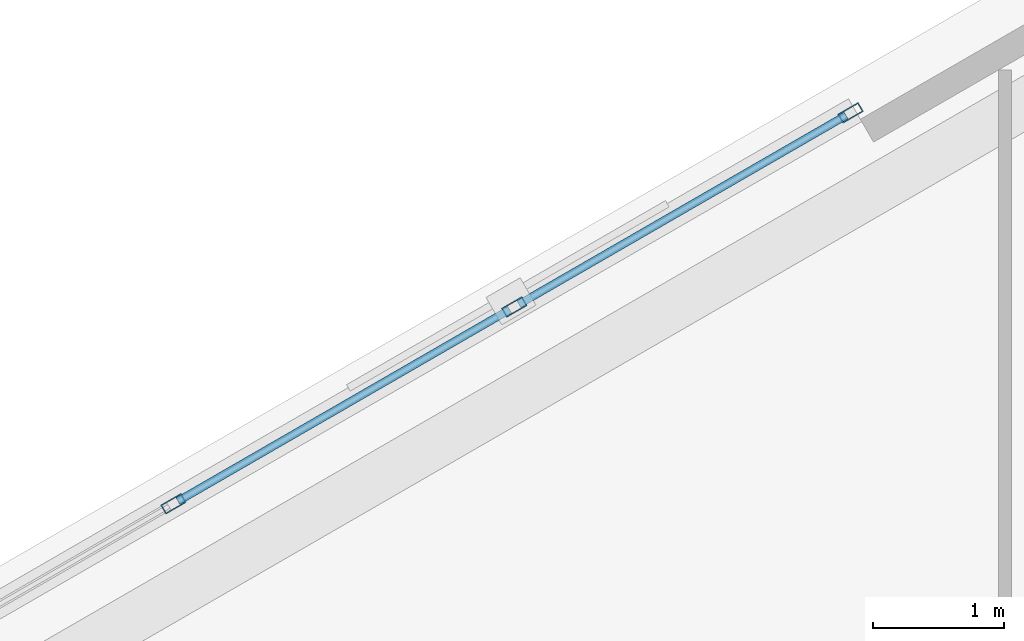
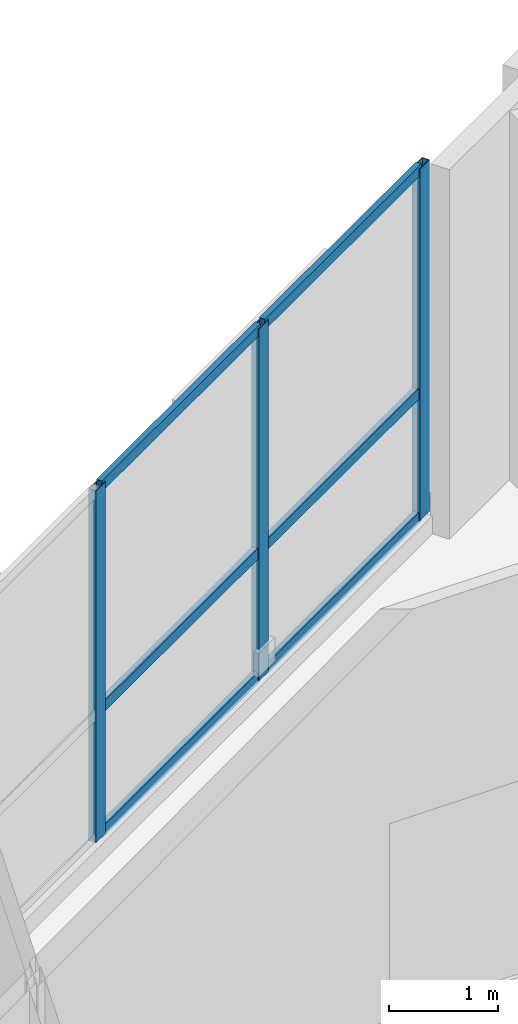
# One storey, part 13 of 27: 9 members, 1 element without a shape of its own.
"""IFC4 building model written with IfcOpenShell, lengths in metres."""

from ifc_helpers import new_model, si_unit, direction, frame, origin, origin_2d, place, context, subcontext, project, spatial, hollow_rectangle, extrude, material, layer, layer_set, material_profile, profile_set, type_object, element, aggregate, save


model = new_model("IFC4")

# Units and contexts
model_context = context("Model", 3, precision=1e-05, world=origin(), true_north=direction((0.0, 1.0)))
body_context = subcontext(model_context, "Body", "Model", "MODEL_VIEW")
ifc_project = project(units=[si_unit("LENGTHUNIT", "METRE"), si_unit("AREAUNIT", "SQUARE_METRE"), si_unit("VOLUMEUNIT", "CUBIC_METRE"), si_unit("PLANEANGLEUNIT", "RADIAN"), si_unit("MASSUNIT", "GRAM", prefix="KILO")], contexts=[model_context])

# Site, building, storey
site_placement = place(None, origin())
site = spatial("IfcSite", under=ifc_project, at=site_placement, CompositionType="ELEMENT")
building_placement = place(site_placement, origin())
building = spatial("IfcBuilding", under=site, at=building_placement, Name="Mersakhor Tower and Convention Hall", CompositionType="ELEMENT")
storey_placement = place(building_placement, frame((0.0, 0.0, 14.39990234375)))
storey = spatial("IfcBuildingStorey", under=building, at=storey_placement, Name="L03", CompositionType="ELEMENT", Elevation=14.39990234375)

# Curtain wall, members
ifc_material_1 = material(Name="Dark solar low-E aluminium curtain wall", Category="aluminium")
ifc_layer = layer(ifc_material_1, 0.18994140625)
ifc_layer_set = layer_set([ifc_layer], Name="Dark solar low-E aluminium curtain wall")
curtain_wall_type = type_object("IfcCurtainWallType", Name="CW-SYS-04", PredefinedType="USERDEFINED", material=ifc_layer_set)
curtain_wall_placement = place(storey_placement, origin())
curtain_wall = element("IfcCurtainWall", 1, at=curtain_wall_placement, inside=storey, type_object=curtain_wall_type, Name="L03 Dark-Glass Curtain Wall F1-B2", ObjectType="CURTAIN WALL", PredefinedType="USERDEFINED")
ifc_material_2 = material(Name="Anodised aluminium EN AW-6063 T6", Category="aluminium")
ifc_material_profile_1 = material_profile(ifc_material_2, hollow_rectangle(XDim=0.080078125, YDim=0.179931640625, WallThickness=0.008056640625, at=origin_2d()), Name="RHS 180x80x8")
ifc_profile_set_1 = profile_set([ifc_material_profile_1], Name="Anodised aluminium EN AW-6063 T6")
member_type_1 = type_object("IfcMemberType", Name="CWM-180x80", PredefinedType="MULLION", material=ifc_profile_set_1)
member_1_placement = place(storey_placement, frame((21.574951171875, 39.610595703125, 0.2001953125), z_axis=(0.0, 0.0, 1.0), x_axis=(-0.50000344889, 0.866023412558, 0.0)))
member_1 = element("IfcMember", 2, at=member_1_placement, type_object=member_type_1, Name="CW-04 mullion 3", PredefinedType="MULLION", context=body_context, shape_type="SweptSolid", body=[
    extrude(hollow_rectangle(XDim=0.080078125, YDim=0.179931640625, WallThickness=0.008056640625, at=origin_2d()), origin(), (0.0, 0.0, 1.0), 3.93994140625),
])
member_2_placement = place(storey_placement, frame((24.167236328125, 41.107177734375, 0.2001953125), z_axis=(0.0, 0.0, 1.0), x_axis=(-0.50000344889, 0.866023412558, 0.0)))
member_2 = element("IfcMember", 3, at=member_2_placement, type_object=member_type_1, Name="CW-04 mullion 4", PredefinedType="MULLION", context=body_context, shape_type="SweptSolid", body=[
    extrude(hollow_rectangle(XDim=0.080078125, YDim=0.179931640625, WallThickness=0.008056640625, at=origin_2d()), origin(), (0.0, 0.0, 1.0), 3.93994140625),
])
member_3_placement = place(storey_placement, frame((26.724853515625, 42.583740234375, 0.2001953125), z_axis=(0.0, 0.0, 1.0), x_axis=(-0.50000344889, 0.866023412558, 0.0)))
member_3 = element("IfcMember", 4, at=member_3_placement, type_object=member_type_1, Name="CW-04 mullion 5", PredefinedType="MULLION", context=body_context, shape_type="SweptSolid", body=[
    extrude(hollow_rectangle(XDim=0.080078125, YDim=0.179931640625, WallThickness=0.008056640625, at=origin_2d()), origin(), (0.0, 0.0, 1.0), 3.93994140625),
])
ifc_material_3 = material(Name="Anodised aluminium EN AW-6063 T6", Category="aluminium")
ifc_material_profile_2 = material_profile(ifc_material_3, hollow_rectangle(XDim=0.06005859375, YDim=0.1201171875, WallThickness=0.0048828125, at=origin_2d()), Name="RHS 120x60x5")
ifc_profile_set_2 = profile_set([ifc_material_profile_2], Name="Anodised aluminium EN AW-6063 T6")
member_type_2 = type_object("IfcMemberType", Name="CWT-120x60", PredefinedType="USERDEFINED", material=ifc_profile_set_2)
member_4_placement = place(storey_placement, frame((21.609619140625, 39.630615234375, 0.22998046875), z_axis=(0.866037657489, 0.499978775361, 0.0), x_axis=(-0.499978775361, 0.866037657489, 0.0)))
member_4 = element("IfcMember", 5, at=member_4_placement, type_object=member_type_2, Name="CW-04 transom 3.1", ObjectType="TRANSOM", PredefinedType="USERDEFINED", context=body_context, shape_type="SweptSolid", body=[
    extrude(hollow_rectangle(XDim=0.06005859375, YDim=0.1201171875, WallThickness=0.0048828125, at=origin_2d()), origin(), (0.0, 0.0, 1.0), 2.913330078125),
])
member_5_placement = place(storey_placement, frame((21.609619140625, 39.630615234375, 1.6201171875), z_axis=(0.866037657489, 0.499978775361, 0.0), x_axis=(-0.499978775361, 0.866037657489, 0.0)))
member_5 = element("IfcMember", 6, at=member_5_placement, type_object=member_type_2, Name="CW-04 transom 3.2", ObjectType="TRANSOM", PredefinedType="USERDEFINED", context=body_context, shape_type="SweptSolid", body=[
    extrude(hollow_rectangle(XDim=0.06005859375, YDim=0.1201171875, WallThickness=0.0048828125, at=origin_2d()), origin(), (0.0, 0.0, 1.0), 2.913330078125),
])
member_6_placement = place(storey_placement, frame((21.609619140625, 39.630615234375, 4.110107421875), z_axis=(0.866037657489, 0.499978775361, 0.0), x_axis=(-0.499978775361, 0.866037657489, 0.0)))
member_6 = element("IfcMember", 7, at=member_6_placement, type_object=member_type_2, Name="CW-04 transom 3.3", ObjectType="TRANSOM", PredefinedType="USERDEFINED", context=body_context, shape_type="SweptSolid", body=[
    extrude(hollow_rectangle(XDim=0.06005859375, YDim=0.1201171875, WallThickness=0.0048828125, at=origin_2d()), origin(), (0.0, 0.0, 1.0), 2.913330078125),
])
member_7_placement = place(storey_placement, frame((24.201904296875, 41.127197265625, 0.22998046875), z_axis=(0.866038426532, 0.499977443261, 0.0), x_axis=(-0.499977443261, 0.866038426532, 0.0)))
member_7 = element("IfcMember", 8, at=member_7_placement, type_object=member_type_2, Name="CW-04 transom 4.1", ObjectType="TRANSOM", PredefinedType="USERDEFINED", context=body_context, shape_type="SweptSolid", body=[
    extrude(hollow_rectangle(XDim=0.06005859375, YDim=0.1201171875, WallThickness=0.0048828125, at=origin_2d()), origin(), (0.0, 0.0, 1.0), 2.873291015625),
])
member_8_placement = place(storey_placement, frame((24.201904296875, 41.127197265625, 1.6201171875), z_axis=(0.866038426532, 0.499977443261, 0.0), x_axis=(-0.499977443261, 0.866038426532, 0.0)))
member_8 = element("IfcMember", 9, at=member_8_placement, type_object=member_type_2, Name="CW-04 transom 4.2", ObjectType="TRANSOM", PredefinedType="USERDEFINED", context=body_context, shape_type="SweptSolid", body=[
    extrude(hollow_rectangle(XDim=0.06005859375, YDim=0.1201171875, WallThickness=0.0048828125, at=origin_2d()), origin(), (0.0, 0.0, 1.0), 2.873291015625),
])
member_9_placement = place(storey_placement, frame((24.201904296875, 41.127197265625, 4.110107421875), z_axis=(0.866038426532, 0.499977443261, 0.0), x_axis=(-0.499977443261, 0.866038426532, 0.0)))
member_9 = element("IfcMember", 10, at=member_9_placement, type_object=member_type_2, Name="CW-04 transom 4.3", ObjectType="TRANSOM", PredefinedType="USERDEFINED", context=body_context, shape_type="SweptSolid", body=[
    extrude(hollow_rectangle(XDim=0.06005859375, YDim=0.1201171875, WallThickness=0.0048828125, at=origin_2d()), origin(), (0.0, 0.0, 1.0), 2.873291015625),
])
aggregate(curtain_wall, [member_1, member_2, member_3, member_4, member_5, member_6, member_7, member_8, member_9])

save(model, "model.ifc")
